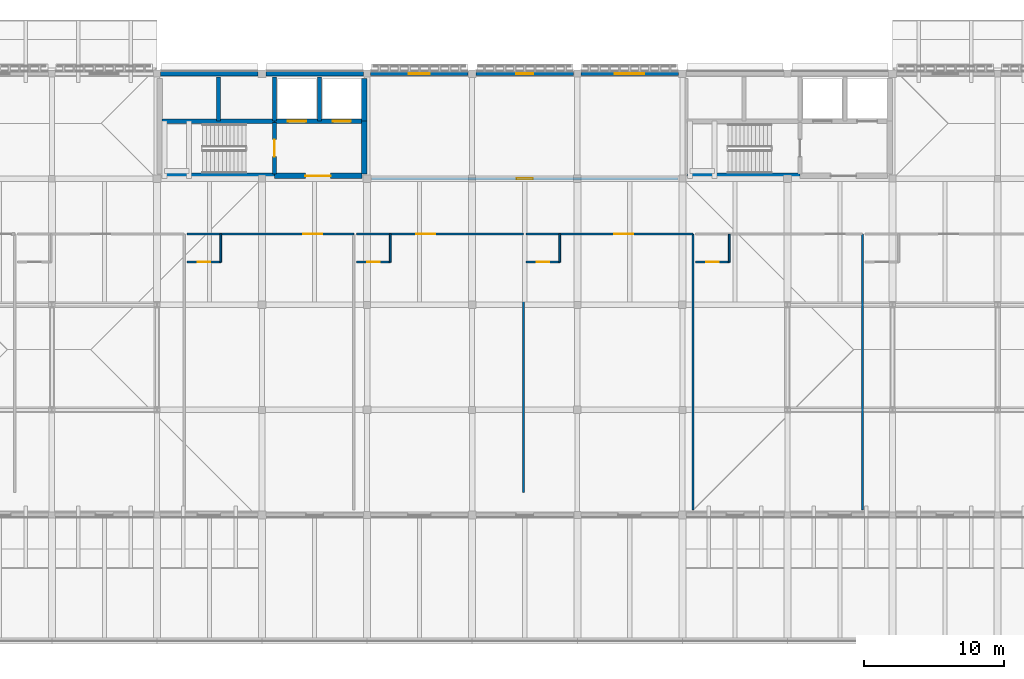
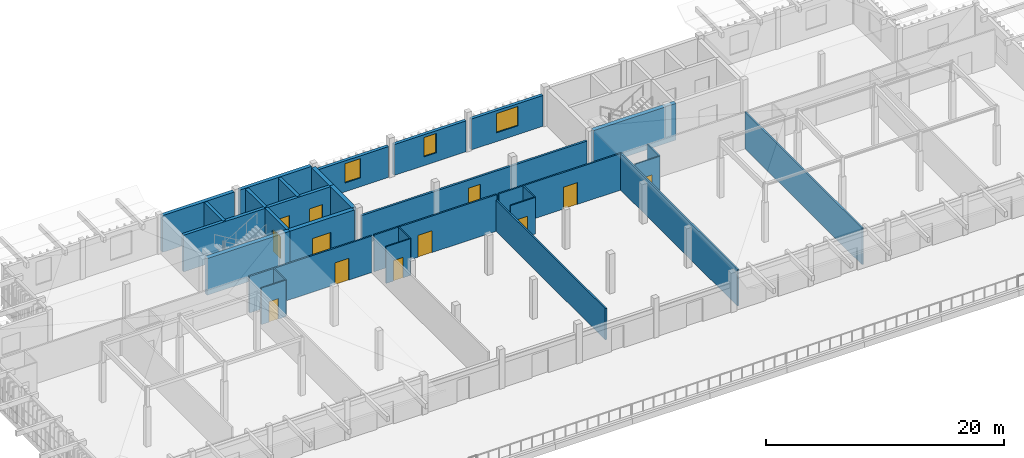
# One storey, part 24 of 48: 31 walls, 12 doors, 3 windows, 15 openings.
"""IFC4 building model written with IfcOpenShell, lengths in metres."""

from ifc_helpers import new_model, si_unit, direction, frame, frame_2d, origin, place, context, subcontext, project, spatial, rectangle, extrude, material, layer, layer_set, type_object, element, fill, save


model = new_model("IFC4")

# Units and contexts
model_context = context("Model", 3, precision=1e-05, world=origin(), true_north=direction((0.0, 1.0)))
body_context = subcontext(model_context, "Body", "Model", "MODEL_VIEW")
ifc_project = project(units=[si_unit("LENGTHUNIT", "METRE"), si_unit("AREAUNIT", "SQUARE_METRE"), si_unit("VOLUMEUNIT", "CUBIC_METRE"), si_unit("PLANEANGLEUNIT", "RADIAN"), si_unit("MASSUNIT", "GRAM", prefix="KILO")], contexts=[model_context])

# Site, building, storey
site_placement = place(None, origin())
site = spatial("IfcSite", under=ifc_project, at=site_placement, CompositionType="ELEMENT")
building_placement = place(site_placement, origin())
building = spatial("IfcBuilding", under=site, at=building_placement, Name="Dalvernix Boulevard General Hospital", CompositionType="ELEMENT")
storey_placement = place(building_placement, frame((0.0, 0.0, 17.85009765625)))
storey = spatial("IfcBuildingStorey", under=building, at=storey_placement, Name="L04", CompositionType="ELEMENT", Elevation=17.85009765625)

# Wall
ifc_material_1 = material(Name="Concrete C40/50", Category="concrete")
ifc_layer_1 = layer(ifc_material_1, 0.39990234375)
ifc_layer_set_1 = layer_set([ifc_layer_1], Name="Concrete C40/50 (WAL-CSW-01)")
wall_type_1 = type_object("IfcWallType", Name="WAL-CSW-01", PredefinedType="SHEAR", material=ifc_layer_set_1)
wall_1_placement = place(storey_placement, frame((60.35009765625, 109.699951171875, 0.0), z_axis=(0.0, 0.0, 1.0), x_axis=(1.0, 0.0, 0.0)))
element("IfcWall", 1, at=wall_1_placement, inside=storey, type_object=wall_type_1, Name="L04 C3 south stairwell wall", PredefinedType="SHEAR", context=body_context, shape_type="SweptSolid", body=[
    extrude(rectangle(XDim=8.0498046875, YDim=0.39990234375, at=frame_2d((4.02490234375, 0.0))), origin(), (0.0, 0.0, 1.0), 3.77001953125),
])

# Wall, opening, door
wall_2_placement = place(storey_placement, frame((68.39990234375, 109.699951171875, 0.0), z_axis=(0.0, 0.0, 1.0), x_axis=(1.0, 0.0, 0.0)))
wall_2 = element("IfcWall", 2, at=wall_2_placement, inside=storey, type_object=wall_type_1, Name="L04 C3 south firefighting lobby wall", PredefinedType="SHEAR", context=body_context, shape_type="SweptSolid", body=[
    extrude(rectangle(XDim=6.25, YDim=0.39990234375, at=frame_2d((3.125, 0.0))), origin(), (0.0, 0.0, 1.0), 3.77001953125),
])
opening_1_placement = place(wall_2_placement, frame((2.199951171875, 0.0, 0.0)))
opening_1 = element("IfcOpeningElement", 3, at=opening_1_placement, cuts=wall_2, Name="Opening FD-01", PredefinedType="OPENING", context=body_context, shape_type="SweptSolid", body=[
    extrude(rectangle(XDim=1.800048828125, YDim=2.25, at=frame_2d((0.89990234375, 1.125))), frame((0.0, 0.2099609375, 0.0), z_axis=(0.0, -1.0, 0.0), x_axis=(1.0, 0.0, 0.0)), (0.0, 0.0, 1.0), 0.419921875),
])
ifc_material_2 = material(Name="Hospital laminate acoustic timber and steel frame", Category="steel")
door_type_1 = type_object("IfcDoorType", Name="DR-FD-01", OperationType="DOUBLE_DOOR_SINGLE_SWING", PredefinedType="DOOR", material=ifc_material_2)
door_1_placement = place(opening_1_placement, origin())
door_1 = element("IfcDoor", 4, at=door_1_placement, inside=storey, type_object=door_type_1, Name="L04 C3 firefighting lobby door", OperationType="DOUBLE_DOOR_SINGLE_SWING", OverallHeight=2.25, OverallWidth=1.800048828125, PredefinedType="DOOR", context=body_context, shape_type="SweptSolid", body=[
    extrude(rectangle(XDim=1.800048828125, YDim=2.25, at=frame_2d((0.89990234375, 1.125))), frame((0.0, 0.02490234375, 0.0), z_axis=(0.0, -1.0, 0.0), x_axis=(1.0, 0.0, 0.0)), (0.0, 0.0, 1.0), 0.050048828125),
])
fill(opening_1, door_1)

# Walls
wall_3_placement = place(storey_placement, frame((74.800048828125, 109.85009765625, 0.0), z_axis=(0.0, 0.0, 1.0), x_axis=(0.0, 1.0, 0.0)))
element("IfcWall", 5, at=wall_3_placement, inside=storey, type_object=wall_type_1, Name="L04 C3 east lobby core wall", PredefinedType="SHEAR", context=body_context, shape_type="SweptSolid", body=[
    extrude(rectangle(XDim=3.75, YDim=0.39990234375, at=frame_2d((1.875, 0.0))), origin(), (0.0, 0.0, 1.0), 3.77001953125),
])
wall_4_placement = place(storey_placement, frame((74.800048828125, 113.60009765625, 0.0), z_axis=(0.0, 0.0, 1.0), x_axis=(0.0, 1.0, 0.0)))
element("IfcWall", 6, at=wall_4_placement, inside=storey, type_object=wall_type_1, Name="L04 C3 east shaft core wall", PredefinedType="SHEAR", context=body_context, shape_type="SweptSolid", body=[
    extrude(rectangle(XDim=3.0498046875, YDim=0.39990234375, at=frame_2d((1.52490234375, 0.0))), origin(), (0.0, 0.0, 1.0), 3.77001953125),
])
wall_5_placement = place(storey_placement, frame((97.85009765625, 109.699951171875, 0.0), z_axis=(0.0, 0.0, 1.0), x_axis=(1.0, 0.0, 0.0)))
element("IfcWall", 7, at=wall_5_placement, inside=storey, type_object=wall_type_1, Name="L04 C4 south stairwell wall", PredefinedType="SHEAR", context=body_context, shape_type="SweptSolid", body=[
    extrude(rectangle(XDim=8.0498046875, YDim=0.39990234375, at=frame_2d((4.02490234375, 0.0))), origin(), (0.0, 0.0, 1.0), 3.77001953125),
])
ifc_layer_2 = layer(ifc_material_1, 0.300048828125)
ifc_layer_set_2 = layer_set([ifc_layer_2], Name="Concrete C40/50 (WAL-CSW-02)")
wall_type_2 = type_object("IfcWallType", Name="WAL-CSW-02", PredefinedType="SHEAR", material=ifc_layer_set_2)
wall_6_placement = place(storey_placement, frame((60.35009765625, 113.60009765625, 0.0), z_axis=(0.0, 0.0, 1.0), x_axis=(1.0, 0.0, 0.0)))
element("IfcWall", 8, at=wall_6_placement, inside=storey, type_object=wall_type_2, Name="L04 C3 riser spine wall", PredefinedType="SHEAR", context=body_context, shape_type="SweptSolid", body=[
    extrude(rectangle(XDim=8.0498046875, YDim=0.300048828125, at=frame_2d((4.02490234375, 0.0))), origin(), (0.0, 0.0, 1.0), 3.77001953125),
])

# Wall, openings, doors
wall_7_placement = place(storey_placement, frame((68.39990234375, 113.60009765625, 0.0), z_axis=(0.0, 0.0, 1.0), x_axis=(1.0, 0.0, 0.0)))
wall_7 = element("IfcWall", 9, at=wall_7_placement, inside=storey, type_object=wall_type_2, Name="L04 C3 lift shaft front wall", PredefinedType="SHEAR", context=body_context, shape_type="SweptSolid", body=[
    extrude(rectangle(XDim=6.25, YDim=0.300048828125, at=frame_2d((3.125, 0.0))), origin(), (0.0, 0.0, 1.0), 3.77001953125),
])
opening_2_placement = place(wall_7_placement, frame((0.949951171875, 0.0, 0.0)))
opening_2 = element("IfcOpeningElement", 10, at=opening_2_placement, cuts=wall_7, Name="Opening LD-LF-01-L04", PredefinedType="OPENING", context=body_context, shape_type="SweptSolid", body=[
    extrude(rectangle(XDim=1.300048828125, YDim=2.199951171875, at=frame_2d((0.64990234375, 1.10009765625))), frame((0.0, 0.159912109375, 0.0), z_axis=(0.0, -1.0, 0.0), x_axis=(1.0, 0.0, 0.0)), (0.0, 0.0, 1.0), 0.320068359375),
])
opening_3_placement = place(wall_7_placement, frame((4.14990234375, 0.0, 0.0)))
opening_3 = element("IfcOpeningElement", 11, at=opening_3_placement, cuts=wall_7, Name="Opening LD-LF-02-L04", PredefinedType="OPENING", context=body_context, shape_type="SweptSolid", body=[
    extrude(rectangle(XDim=1.300048828125, YDim=2.199951171875, at=frame_2d((0.64990234375, 1.10009765625))), frame((0.0, 0.159912109375, 0.0), z_axis=(0.0, -1.0, 0.0), x_axis=(1.0, 0.0, 0.0)), (0.0, 0.0, 1.0), 0.320068359375),
])
ifc_material_3 = material(Name="Stainless-clad steel", Category="steel")
door_type_2 = type_object("IfcDoorType", Name="DR-LD-02", OperationType="DOUBLE_DOOR_SLIDING", PredefinedType="DOOR", material=ifc_material_3)
door_2_placement = place(opening_2_placement, origin())
door_2 = element("IfcDoor", 12, at=door_2_placement, inside=storey, type_object=door_type_2, Name="L04 Lift LF-01 sliding landing door", OperationType="DOUBLE_DOOR_SLIDING", OverallHeight=2.199951171875, OverallWidth=1.300048828125, PredefinedType="DOOR", context=body_context, shape_type="SweptSolid", body=[
    extrude(rectangle(XDim=1.300048828125, YDim=2.199951171875, at=frame_2d((0.64990234375, 1.10009765625))), frame((0.0, 0.02490234375, 0.0), z_axis=(0.0, -1.0, 0.0), x_axis=(1.0, 0.0, 0.0)), (0.0, 0.0, 1.0), 0.050048828125),
])
fill(opening_2, door_2)
door_3_placement = place(opening_3_placement, origin())
door_3 = element("IfcDoor", 13, at=door_3_placement, inside=storey, type_object=door_type_2, Name="L04 Lift LF-02 sliding landing door", OperationType="DOUBLE_DOOR_SLIDING", OverallHeight=2.199951171875, OverallWidth=1.300048828125, PredefinedType="DOOR", context=body_context, shape_type="SweptSolid", body=[
    extrude(rectangle(XDim=1.300048828125, YDim=2.199951171875, at=frame_2d((0.64990234375, 1.10009765625))), frame((0.0, 0.02490234375, 0.0), z_axis=(0.0, -1.0, 0.0), x_axis=(1.0, 0.0, 0.0)), (0.0, 0.0, 1.0), 0.050048828125),
])
fill(opening_3, door_3)

# Wall, opening, door
wall_8_placement = place(storey_placement, frame((68.39990234375, 113.5, 0.0), z_axis=(0.0, 0.0, 1.0), x_axis=(0.0, -1.0, 0.0)))
wall_8 = element("IfcWall", 14, at=wall_8_placement, inside=storey, type_object=wall_type_2, Name="L04 C3 stairwell fire wall", PredefinedType="SHEAR", context=body_context, shape_type="SweptSolid", body=[
    extrude(rectangle(XDim=3.64990234375, YDim=0.300048828125, at=frame_2d((1.824951171875, 0.0))), origin(), (0.0, 0.0, 1.0), 3.77001953125),
])
opening_4_placement = place(wall_8_placement, frame((1.219970703125, 0.0, 0.0)))
opening_4 = element("IfcOpeningElement", 15, at=opening_4_placement, cuts=wall_8, Name="Opening FD-02", PredefinedType="OPENING", context=body_context, shape_type="SweptSolid", body=[
    extrude(rectangle(XDim=1.199951171875, YDim=2.25, at=frame_2d((0.60009765625, 1.125))), frame((0.0, 0.159912109375, 0.0), z_axis=(0.0, -1.0, 0.0), x_axis=(1.0, 0.0, 0.0)), (0.0, 0.0, 1.0), 0.320068359375),
])
door_type_3 = type_object("IfcDoorType", Name="DR-FD-02", OperationType="NOTDEFINED", PredefinedType="DOOR", material=ifc_material_2)
door_4_placement = place(opening_4_placement, origin())
door_4 = element("IfcDoor", 16, at=door_4_placement, inside=storey, type_object=door_type_3, Name="L04 Stair ST-03 fire door", OperationType="SINGLE_SWING_RIGHT", OverallHeight=2.25, OverallWidth=1.199951171875, PredefinedType="DOOR", context=body_context, shape_type="SweptSolid", body=[
    extrude(rectangle(XDim=1.199951171875, YDim=2.25, at=frame_2d((0.60009765625, 1.125))), frame((0.0, 0.02490234375, 0.0), z_axis=(0.0, -1.0, 0.0), x_axis=(1.0, 0.0, 0.0)), (0.0, 0.0, 1.0), 0.050048828125),
])
fill(opening_4, door_4)

# Walls
for number, where, z_axis, x_axis, name in (
    (17, (64.39990234375, 113.60009765625, 0.0), (0.0, 0.0, 1.0), (0.0, 1.0, 0.0), "L04 C3 shaft divider R1"),
    (18, (68.39990234375, 113.60009765625, 0.0), (0.0, 0.0, 1.0), (0.0, 1.0, 0.0), "L04 C3 shaft divider R2"),
    (19, (71.60009765625, 113.60009765625, 0.0), (0.0, 0.0, 1.0), (0.0, 1.0, 0.0), "L04 C3 shaft divider L1"),
):
    element("IfcWall", number, at=place(storey_placement, frame(where, z_axis=z_axis, x_axis=x_axis)), inside=storey, type_object=wall_type_2, Name=name, PredefinedType="SHEAR", context=body_context, shape_type="SweptSolid", body=[
        extrude(rectangle(XDim=3.14990234375, YDim=0.300048828125, at=frame_2d((1.574951171875, 0.0))), origin(), (0.0, 0.0, 1.0), 3.77001953125),
    ])
ifc_layer_3 = layer(ifc_material_1, 0.35009765625)
ifc_layer_set_3 = layer_set([ifc_layer_3], Name="Concrete C40/50 (WAL-ESW-01)")
wall_type_3 = type_object("IfcWallType", Name="WAL-ESW-01", PredefinedType="SHEAR", material=ifc_layer_set_3)
for number, where, z_axis, x_axis, name in (
    (20, (60.260009765625, 117.0, 0.0), (0.0, 0.0, 1.0), (1.0, 0.0, 0.0), "L04 core perimeter shear wall N 8-15"),
    (21, (67.784912109375, 117.0, 0.0), (0.0, 0.0, 1.0), (1.0, 0.0, 0.0), "L04 core perimeter shear wall N 9-15"),
):
    element("IfcWall", number, at=place(storey_placement, frame(where, z_axis=z_axis, x_axis=x_axis)), inside=storey, type_object=wall_type_3, Name=name, PredefinedType="SHEAR", context=body_context, shape_type="SweptSolid", body=[
        extrude(rectangle(XDim=6.955078125, YDim=0.35009765625, at=frame_2d((3.4775390625, 0.0))), origin(), (0.0, 0.0, 1.0), 3.77001953125),
    ])

# Wall, opening, window
ifc_material_4 = material(Name="Pressed Catalan clay brick and ceramic spandrel wall C35/45", Category="masonry")
ifc_layer_4 = layer(ifc_material_4, 0.300048828125)
ifc_layer_set_4 = layer_set([ifc_layer_4], Name="Pressed Catalan clay brick and ceramic spandrel wall C35/45 (WAL-EW-02)")
wall_type_4 = type_object("IfcWallType", Name="WAL-EW-02", PredefinedType="STANDARD", material=ifc_layer_set_4)
wall_9_placement = place(storey_placement, frame((75.260009765625, 117.0, 0.0), z_axis=(0.0, 0.0, 1.0), x_axis=(1.0, 0.0, 0.0)))
wall_9 = element("IfcWall", 22, at=wall_9_placement, inside=storey, type_object=wall_type_4, Name="L04 Catalan brick external wall N 10-15", PredefinedType="STANDARD", context=body_context, shape_type="SweptSolid", body=[
    extrude(rectangle(XDim=6.955078125, YDim=0.300048828125, at=frame_2d((3.4775390625, 0.0))), origin(), (0.0, 0.0, 1.0), 3.169921875),
])
opening_5_placement = place(wall_9_placement, frame((2.7275390625, 0.0, 0.89990234375)))
opening_5 = element("IfcOpeningElement", 23, at=opening_5_placement, cuts=wall_9, Name="Opening WN-06", PredefinedType="OPENING", context=body_context, shape_type="SweptSolid", body=[
    extrude(rectangle(XDim=1.5, YDim=1.989990234375, at=frame_2d((0.75, 0.9951171875))), frame((0.0, 0.159912109375, 0.0), z_axis=(0.0, -1.0, 0.0), x_axis=(1.0, 0.0, 0.0)), (0.0, 0.0, 1.0), 0.320068359375),
])
ifc_material_5 = material(Name="Thermally broken aluminium frame with solar-control double glazing", Category="aluminium")
window_type_1 = type_object("IfcWindowType", Name="WIN-WN-06", PartitioningType="SINGLE_PANEL", PredefinedType="WINDOW", material=ifc_material_5)
window_1_placement = place(opening_5_placement, origin())
window_1 = element("IfcWindow", 24, at=window_1_placement, inside=storey, type_object=window_type_1, Name="L04 clinical window WN-06 N 10-15", OverallHeight=1.989990234375, OverallWidth=1.5, PartitioningType="SINGLE_PANEL", PredefinedType="WINDOW", context=body_context, shape_type="SweptSolid", body=[
    extrude(rectangle(XDim=1.5, YDim=1.989990234375, at=frame_2d((0.75, 0.9951171875))), frame((0.0, 0.030029296875, 0.0), z_axis=(0.0, -1.0, 0.0), x_axis=(1.0, 0.0, 0.0)), (0.0, 0.0, 1.0), 0.06005859375),
])
fill(opening_5, window_1)

wall_10_placement = place(storey_placement, frame((82.784912109375, 117.0, 0.0), z_axis=(0.0, 0.0, 1.0), x_axis=(1.0, 0.0, 0.0)))
wall_10 = element("IfcWall", 25, at=wall_10_placement, inside=storey, type_object=wall_type_4, Name="L04 Catalan brick external wall N 11-15", PredefinedType="STANDARD", context=body_context, shape_type="SweptSolid", body=[
    extrude(rectangle(XDim=6.955078125, YDim=0.300048828125, at=frame_2d((3.4775390625, 0.0))), origin(), (0.0, 0.0, 1.0), 3.169921875),
])
opening_6_placement = place(wall_10_placement, frame((2.87744140625, 0.0, 0.89990234375)))
opening_6 = element("IfcOpeningElement", 26, at=opening_6_placement, cuts=wall_10, Name="Opening WN-07", PredefinedType="OPENING", context=body_context, shape_type="SweptSolid", body=[
    extrude(rectangle(XDim=1.199951171875, YDim=1.989990234375, at=frame_2d((0.60009765625, 0.9951171875))), frame((0.0, 0.159912109375, 0.0), z_axis=(0.0, -1.0, 0.0), x_axis=(1.0, 0.0, 0.0)), (0.0, 0.0, 1.0), 0.320068359375),
])
window_type_2 = type_object("IfcWindowType", Name="WIN-WN-07", PartitioningType="SINGLE_PANEL", PredefinedType="WINDOW", material=ifc_material_5)
window_2_placement = place(opening_6_placement, origin())
window_2 = element("IfcWindow", 27, at=window_2_placement, inside=storey, type_object=window_type_2, Name="L04 clinical window WN-07 N 11-15", OverallHeight=1.989990234375, OverallWidth=1.199951171875, PartitioningType="SINGLE_PANEL", PredefinedType="WINDOW", context=body_context, shape_type="SweptSolid", body=[
    extrude(rectangle(XDim=1.199951171875, YDim=1.989990234375, at=frame_2d((0.60009765625, 0.9951171875))), frame((0.0, 0.030029296875, 0.0), z_axis=(0.0, -1.0, 0.0), x_axis=(1.0, 0.0, 0.0)), (0.0, 0.0, 1.0), 0.06005859375),
])
fill(opening_6, window_2)

wall_11_placement = place(storey_placement, frame((90.260009765625, 117.0, 0.0), z_axis=(0.0, 0.0, 1.0), x_axis=(1.0, 0.0, 0.0)))
wall_11 = element("IfcWall", 28, at=wall_11_placement, inside=storey, type_object=wall_type_4, Name="L04 Catalan brick external wall N 12-15", PredefinedType="STANDARD", context=body_context, shape_type="SweptSolid", body=[
    extrude(rectangle(XDim=6.955078125, YDim=0.300048828125, at=frame_2d((3.4775390625, 0.0))), origin(), (0.0, 0.0, 1.0), 3.169921875),
])
opening_7_placement = place(wall_11_placement, frame((2.427490234375, 0.0, 0.89990234375)))
opening_7 = element("IfcOpeningElement", 29, at=opening_7_placement, cuts=wall_11, Name="Opening WN-08", PredefinedType="OPENING", context=body_context, shape_type="SweptSolid", body=[
    extrude(rectangle(XDim=2.10009765625, YDim=1.989990234375, at=frame_2d((1.050048828125, 0.9951171875))), frame((0.0, 0.159912109375, 0.0), z_axis=(0.0, -1.0, 0.0), x_axis=(1.0, 0.0, 0.0)), (0.0, 0.0, 1.0), 0.320068359375),
])
window_type_3 = type_object("IfcWindowType", Name="WIN-WN-08", PartitioningType="SINGLE_PANEL", PredefinedType="WINDOW", material=ifc_material_5)
window_3_placement = place(opening_7_placement, origin())
window_3 = element("IfcWindow", 30, at=window_3_placement, inside=storey, type_object=window_type_3, Name="L04 clinical window WN-08 N 12-15", OverallHeight=1.989990234375, OverallWidth=2.10009765625, PartitioningType="SINGLE_PANEL", PredefinedType="WINDOW", context=body_context, shape_type="SweptSolid", body=[
    extrude(rectangle(XDim=2.10009765625, YDim=1.989990234375, at=frame_2d((1.050048828125, 0.9951171875))), frame((0.0, 0.030029296875, 0.0), z_axis=(0.0, -1.0, 0.0), x_axis=(1.0, 0.0, 0.0)), (0.0, 0.0, 1.0), 0.06005859375),
])
fill(opening_7, window_3)

# Wall, opening, door
ifc_material_6 = material(Name="Fire-compartment corridor masonry wall", Category="masonry")
ifc_layer_5 = layer(ifc_material_6, 0.199951171875)
ifc_layer_set_5 = layer_set([ifc_layer_5], Name="Fire-compartment corridor masonry wall (WAL-IW-02)")
wall_type_5 = type_object("IfcWallType", Name="WAL-IW-02", PredefinedType="STANDARD", material=ifc_layer_set_5)
wall_12_placement = place(storey_placement, frame((75.300048828125, 109.5, 0.0), z_axis=(0.0, 0.0, 1.0), x_axis=(1.0, 0.0, 0.0)))
wall_12 = element("IfcWall", 31, at=wall_12_placement, inside=storey, type_object=wall_type_5, Name="L04 Surgical Ward Nurse Station and Clean Utility corridor wall", PredefinedType="STANDARD", context=body_context, shape_type="SweptSolid", body=[
    extrude(rectangle(XDim=21.89990234375, YDim=0.199951171875, at=frame_2d((10.949951171875, 0.0))), origin(), (0.0, 0.0, 1.0), 3.014892578125),
])
opening_8_placement = place(wall_12_placement, frame((10.375, 0.0, 0.0)))
opening_8 = element("IfcOpeningElement", 32, at=opening_8_placement, cuts=wall_12, Name="Opening ID-08", PredefinedType="OPENING", context=body_context, shape_type="SweptSolid", body=[
    extrude(rectangle(XDim=1.14990234375, YDim=2.199951171875, at=frame_2d((0.574951171875, 1.10009765625))), frame((0.0, 0.10986328125, 0.0), z_axis=(0.0, -1.0, 0.0), x_axis=(1.0, 0.0, 0.0)), (0.0, 0.0, 1.0), 0.219970703125),
])
door_type_4 = type_object("IfcDoorType", Name="DR-ID-08", OperationType="NOTDEFINED", PredefinedType="DOOR", material=ifc_material_2)
door_5_placement = place(opening_8_placement, origin())
door_5 = element("IfcDoor", 33, at=door_5_placement, inside=storey, type_object=door_type_4, Name="L04 Surgical Ward Nurse Station and Clean Utility door", OperationType="SINGLE_SWING_LEFT", OverallHeight=2.199951171875, OverallWidth=1.14990234375, PredefinedType="DOOR", context=body_context, shape_type="SweptSolid", body=[
    extrude(rectangle(XDim=1.14990234375, YDim=2.199951171875, at=frame_2d((0.574951171875, 1.10009765625))), frame((0.0, 0.02490234375, 0.0), z_axis=(0.0, -1.0, 0.0), x_axis=(1.0, 0.0, 0.0)), (0.0, 0.0, 1.0), 0.050048828125),
])
fill(opening_8, door_5)

ifc_material_7 = material(Name="Acoustic double-stud gypsum inpatient partition")
ifc_layer_6 = layer(ifc_material_7, 0.14990234375)
ifc_layer_set_6 = layer_set([ifc_layer_6], Name="Acoustic double-stud gypsum inpatient partition (WAL-IW-04)")
wall_type_6 = type_object("IfcWallType", Name="WAL-IW-04", PredefinedType="PARTITIONING", material=ifc_layer_set_6)
wall_13_placement = place(storey_placement, frame((74.050048828125, 105.550048828125, 0.0), z_axis=(0.0, 0.0, 1.0), x_axis=(-1.0, 0.0, 0.0)))
wall_13 = element("IfcWall", 34, at=wall_13_placement, inside=storey, type_object=wall_type_6, Name="L04 Post-Operative Surgical Patient Room L04-03 corridor wall", PredefinedType="PARTITIONING", context=body_context, shape_type="SweptSolid", body=[
    extrude(rectangle(XDim=11.900146484375, YDim=0.14990234375, at=frame_2d((5.9501953125, 0.0))), origin(), (0.0, 0.0, 1.0), 3.7548828125),
])
opening_9_placement = place(wall_13_placement, frame((2.260009765625, 0.0, 0.0)))
opening_9 = element("IfcOpeningElement", 35, at=opening_9_placement, cuts=wall_13, Name="Opening ID-01", PredefinedType="OPENING", context=body_context, shape_type="SweptSolid", body=[
    extrude(rectangle(XDim=1.35009765625, YDim=2.25, at=frame_2d((0.675048828125, 1.125))), frame((0.0, 0.0849609375, 0.0), z_axis=(0.0, -1.0, 0.0), x_axis=(1.0, 0.0, 0.0)), (0.0, 0.0, 1.0), 0.169921875),
])
door_type_5 = type_object("IfcDoorType", Name="DR-ID-01", OperationType="NOTDEFINED", PredefinedType="DOOR", material=ifc_material_2)
door_6_placement = place(opening_9_placement, origin())
door_6 = element("IfcDoor", 36, at=door_6_placement, inside=storey, type_object=door_type_5, Name="L04 Post-Operative Surgical Patient Room L04-03 door", OperationType="SINGLE_SWING_LEFT", OverallHeight=2.25, OverallWidth=1.35009765625, PredefinedType="DOOR", context=body_context, shape_type="SweptSolid", body=[
    extrude(rectangle(XDim=1.35009765625, YDim=2.25, at=frame_2d((0.675048828125, 1.125))), frame((0.0, 0.02490234375, 0.0), z_axis=(0.0, -1.0, 0.0), x_axis=(1.0, 0.0, 0.0)), (0.0, 0.0, 1.0), 0.050048828125),
])
fill(opening_9, door_6)

wall_14_placement = place(storey_placement, frame((86.14990234375, 105.550048828125, 0.0), z_axis=(0.0, 0.0, 1.0), x_axis=(-1.0, 0.0, 0.0)))
wall_14 = element("IfcWall", 37, at=wall_14_placement, inside=storey, type_object=wall_type_6, Name="L04 Post-Operative Surgical Patient Room L04-04 corridor wall", PredefinedType="PARTITIONING", context=body_context, shape_type="SweptSolid", body=[
    extrude(rectangle(XDim=11.89990234375, YDim=0.14990234375, at=frame_2d((5.949951171875, 0.0))), origin(), (0.0, 0.0, 1.0), 3.7548828125),
])
opening_10_placement = place(wall_14_placement, frame((6.280029296875, 0.0, 0.0)))
opening_10 = element("IfcOpeningElement", 38, at=opening_10_placement, cuts=wall_14, Name="Opening ID-01", PredefinedType="OPENING", context=body_context, shape_type="SweptSolid", body=[
    extrude(rectangle(XDim=1.35009765625, YDim=2.25, at=frame_2d((0.675048828125, 1.125))), frame((0.0, 0.0849609375, 0.0), z_axis=(0.0, -1.0, 0.0), x_axis=(1.0, 0.0, 0.0)), (0.0, 0.0, 1.0), 0.169921875),
])
door_7_placement = place(opening_10_placement, origin())
door_7 = element("IfcDoor", 39, at=door_7_placement, inside=storey, type_object=door_type_5, Name="L04 Post-Operative Surgical Patient Room L04-04 door", OperationType="SINGLE_SWING_LEFT", OverallHeight=2.25, OverallWidth=1.35009765625, PredefinedType="DOOR", context=body_context, shape_type="SweptSolid", body=[
    extrude(rectangle(XDim=1.35009765625, YDim=2.25, at=frame_2d((0.675048828125, 1.125))), frame((0.0, 0.02490234375, 0.0), z_axis=(0.0, -1.0, 0.0), x_axis=(1.0, 0.0, 0.0)), (0.0, 0.0, 1.0), 0.050048828125),
])
fill(opening_10, door_7)

wall_15_placement = place(storey_placement, frame((98.25, 105.550048828125, 0.0), z_axis=(0.0, 0.0, 1.0), x_axis=(-1.0, 0.0, 0.0)))
wall_15 = element("IfcWall", 40, at=wall_15_placement, inside=storey, type_object=wall_type_6, Name="L04 Post-Operative Surgical Patient Room L04-05 corridor wall", PredefinedType="PARTITIONING", context=body_context, shape_type="SweptSolid", body=[
    extrude(rectangle(XDim=11.89990234375, YDim=0.14990234375, at=frame_2d((5.949951171875, 0.0))), origin(), (0.0, 0.0, 1.0), 3.7548828125),
])
opening_11_placement = place(wall_15_placement, frame((4.27001953125, 0.0, 0.0)))
opening_11 = element("IfcOpeningElement", 41, at=opening_11_placement, cuts=wall_15, Name="Opening ID-01", PredefinedType="OPENING", context=body_context, shape_type="SweptSolid", body=[
    extrude(rectangle(XDim=1.35009765625, YDim=2.25, at=frame_2d((0.675048828125, 1.125))), frame((0.0, 0.0849609375, 0.0), z_axis=(0.0, -1.0, 0.0), x_axis=(1.0, 0.0, 0.0)), (0.0, 0.0, 1.0), 0.169921875),
])
door_8_placement = place(opening_11_placement, origin())
door_8 = element("IfcDoor", 42, at=door_8_placement, inside=storey, type_object=door_type_5, Name="L04 Post-Operative Surgical Patient Room L04-05 door", OperationType="SINGLE_SWING_LEFT", OverallHeight=2.25, OverallWidth=1.35009765625, PredefinedType="DOOR", context=body_context, shape_type="SweptSolid", body=[
    extrude(rectangle(XDim=1.35009765625, YDim=2.25, at=frame_2d((0.675048828125, 1.125))), frame((0.0, 0.02490234375, 0.0), z_axis=(0.0, -1.0, 0.0), x_axis=(1.0, 0.0, 0.0)), (0.0, 0.0, 1.0), 0.050048828125),
])
fill(opening_11, door_8)

# Walls
wall_16_placement = place(storey_placement, frame((86.14990234375, 87.10009765625, 0.0), z_axis=(0.0, 0.0, 1.0), x_axis=(0.0, 1.0, 0.0)))
element("IfcWall", 43, at=wall_16_placement, inside=storey, type_object=wall_type_6, Name="L04 Post-Operative Surgical Patient Room L04-04 partition", PredefinedType="PARTITIONING", context=body_context, shape_type="SweptSolid", body=[
    extrude(rectangle(XDim=18.449951171875, YDim=0.14990234375, at=frame_2d((9.22509765625, 0.0))), origin(), (0.0, 0.0, 1.0), 3.21484375),
])
for number, where, z_axis, x_axis, name in (
    (44, (98.25, 85.85009765625, 0.0), (0.0, 0.0, 1.0), (0.0, 1.0, 0.0), "L04 Post-Operative Surgical Patient Room L04-05 partition"),
    (45, (110.35009765625, 85.85009765625, 0.0), (0.0, 0.0, 1.0), (0.0, 1.0, 0.0), "L04 Post-Operative Surgical Patient Room L04-06 partition"),
):
    element("IfcWall", number, at=place(storey_placement, frame(where, z_axis=z_axis, x_axis=x_axis)), inside=storey, type_object=wall_type_6, Name=name, PredefinedType="PARTITIONING", context=body_context, shape_type="SweptSolid", body=[
        extrude(rectangle(XDim=19.699951171875, YDim=0.14990234375, at=frame_2d((9.85009765625, 0.0))), origin(), (0.0, 0.0, 1.0), 3.7548828125),
    ])

# Wall, opening, door
ifc_material_8 = material(Name="Moisture-resistant en-suite bathroom partition")
ifc_layer_7 = layer(ifc_material_8, 0.1201171875)
ifc_layer_set_7 = layer_set([ifc_layer_7], Name="Moisture-resistant en-suite bathroom partition (WAL-IW-05)")
wall_type_7 = type_object("IfcWallType", Name="WAL-IW-05", PredefinedType="PARTITIONING", material=ifc_layer_set_7)
wall_17_placement = place(storey_placement, frame((62.14990234375, 103.550048828125, 0.0), z_axis=(0.0, 0.0, 1.0), x_axis=(1.0, 0.0, 0.0)))
wall_17 = element("IfcWall", 46, at=wall_17_placement, inside=storey, type_object=wall_type_7, Name="L04 en-suite bathroom door wall", PredefinedType="PARTITIONING", context=body_context, shape_type="SweptSolid", body=[
    extrude(rectangle(XDim=2.400146484375, YDim=0.1201171875, at=frame_2d((1.2001953125, 0.0))), origin(), (0.0, 0.0, 1.0), 3.7548828125),
])
opening_12_placement = place(wall_17_placement, frame((0.75, 0.0, 0.0)))
opening_12 = element("IfcOpeningElement", 47, at=opening_12_placement, cuts=wall_17, Name="Opening ID-05", PredefinedType="OPENING", context=body_context, shape_type="SweptSolid", body=[
    extrude(rectangle(XDim=0.89990234375, YDim=2.10009765625, at=frame_2d((0.449951171875, 1.050048828125))), frame((0.0, 0.070068359375, 0.0), z_axis=(0.0, -1.0, 0.0), x_axis=(1.0, 0.0, 0.0)), (0.0, 0.0, 1.0), 0.14013671875),
])
door_type_6 = type_object("IfcDoorType", Name="DR-ID-05", OperationType="NOTDEFINED", PredefinedType="DOOR", material=ifc_material_2)
door_9_placement = place(opening_12_placement, origin())
door_9 = element("IfcDoor", 48, at=door_9_placement, inside=storey, type_object=door_type_6, Name="L04 L04-SURG-W03 en-suite bathroom door", OperationType="SINGLE_SWING_RIGHT", OverallHeight=2.10009765625, OverallWidth=0.89990234375, PredefinedType="DOOR", context=body_context, shape_type="SweptSolid", body=[
    extrude(rectangle(XDim=0.89990234375, YDim=2.10009765625, at=frame_2d((0.449951171875, 1.050048828125))), frame((0.0, 0.02490234375, 0.0), z_axis=(0.0, -1.0, 0.0), x_axis=(1.0, 0.0, 0.0)), (0.0, 0.0, 1.0), 0.050048828125),
])
fill(opening_12, door_9)

# Wall
wall_18_placement = place(storey_placement, frame((64.550048828125, 103.550048828125, 0.0), z_axis=(0.0, 0.0, 1.0), x_axis=(0.0, 1.0, 0.0)))
element("IfcWall", 49, at=wall_18_placement, inside=storey, type_object=wall_type_7, Name="L04 en-suite bathroom side wall", PredefinedType="PARTITIONING", context=body_context, shape_type="SweptSolid", body=[
    extrude(rectangle(XDim=2.0, YDim=0.1201171875, at=frame_2d((1.0, 0.0))), origin(), (0.0, 0.0, 1.0), 3.7548828125),
])

# Wall, opening, door
wall_19_placement = place(storey_placement, frame((74.25, 103.550048828125, 0.0), z_axis=(0.0, 0.0, 1.0), x_axis=(1.0, 0.0, 0.0)))
wall_19 = element("IfcWall", 50, at=wall_19_placement, inside=storey, type_object=wall_type_7, Name="L04 en-suite bathroom door wall", PredefinedType="PARTITIONING", context=body_context, shape_type="SweptSolid", body=[
    extrude(rectangle(XDim=2.39990234375, YDim=0.1201171875, at=frame_2d((1.199951171875, 0.0))), origin(), (0.0, 0.0, 1.0), 3.7548828125),
])
opening_13_placement = place(wall_19_placement, frame((0.75, 0.0, 0.0)))
opening_13 = element("IfcOpeningElement", 51, at=opening_13_placement, cuts=wall_19, Name="Opening ID-05", PredefinedType="OPENING", context=body_context, shape_type="SweptSolid", body=[
    extrude(rectangle(XDim=0.89990234375, YDim=2.10009765625, at=frame_2d((0.449951171875, 1.050048828125))), frame((0.0, 0.070068359375, 0.0), z_axis=(0.0, -1.0, 0.0), x_axis=(1.0, 0.0, 0.0)), (0.0, 0.0, 1.0), 0.14013671875),
])
door_10_placement = place(opening_13_placement, origin())
door_10 = element("IfcDoor", 52, at=door_10_placement, inside=storey, type_object=door_type_6, Name="L04 L04-SURG-W04 en-suite bathroom door", OperationType="SINGLE_SWING_RIGHT", OverallHeight=2.10009765625, OverallWidth=0.89990234375, PredefinedType="DOOR", context=body_context, shape_type="SweptSolid", body=[
    extrude(rectangle(XDim=0.89990234375, YDim=2.10009765625, at=frame_2d((0.449951171875, 1.050048828125))), frame((0.0, 0.02490234375, 0.0), z_axis=(0.0, -1.0, 0.0), x_axis=(1.0, 0.0, 0.0)), (0.0, 0.0, 1.0), 0.050048828125),
])
fill(opening_13, door_10)

# Wall
wall_20_placement = place(storey_placement, frame((76.64990234375, 103.550048828125, 0.0), z_axis=(0.0, 0.0, 1.0), x_axis=(0.0, 1.0, 0.0)))
element("IfcWall", 53, at=wall_20_placement, inside=storey, type_object=wall_type_7, Name="L04 en-suite bathroom side wall", PredefinedType="PARTITIONING", context=body_context, shape_type="SweptSolid", body=[
    extrude(rectangle(XDim=2.0, YDim=0.1201171875, at=frame_2d((1.0, 0.0))), origin(), (0.0, 0.0, 1.0), 3.7548828125),
])

# Wall, opening, door
wall_21_placement = place(storey_placement, frame((86.35009765625, 103.550048828125, 0.0), z_axis=(0.0, 0.0, 1.0), x_axis=(1.0, 0.0, 0.0)))
wall_21 = element("IfcWall", 54, at=wall_21_placement, inside=storey, type_object=wall_type_7, Name="L04 en-suite bathroom door wall", PredefinedType="PARTITIONING", context=body_context, shape_type="SweptSolid", body=[
    extrude(rectangle(XDim=2.39990234375, YDim=0.1201171875, at=frame_2d((1.199951171875, 0.0))), origin(), (0.0, 0.0, 1.0), 3.7548828125),
])
opening_14_placement = place(wall_21_placement, frame((0.75, 0.0, 0.0)))
opening_14 = element("IfcOpeningElement", 55, at=opening_14_placement, cuts=wall_21, Name="Opening ID-05", PredefinedType="OPENING", context=body_context, shape_type="SweptSolid", body=[
    extrude(rectangle(XDim=0.89990234375, YDim=2.10009765625, at=frame_2d((0.449951171875, 1.050048828125))), frame((0.0, 0.070068359375, 0.0), z_axis=(0.0, -1.0, 0.0), x_axis=(1.0, 0.0, 0.0)), (0.0, 0.0, 1.0), 0.14013671875),
])
door_11_placement = place(opening_14_placement, origin())
door_11 = element("IfcDoor", 56, at=door_11_placement, inside=storey, type_object=door_type_6, Name="L04 L04-SURG-W05 en-suite bathroom door", OperationType="SINGLE_SWING_RIGHT", OverallHeight=2.10009765625, OverallWidth=0.89990234375, PredefinedType="DOOR", context=body_context, shape_type="SweptSolid", body=[
    extrude(rectangle(XDim=0.89990234375, YDim=2.10009765625, at=frame_2d((0.449951171875, 1.050048828125))), frame((0.0, 0.02490234375, 0.0), z_axis=(0.0, -1.0, 0.0), x_axis=(1.0, 0.0, 0.0)), (0.0, 0.0, 1.0), 0.050048828125),
])
fill(opening_14, door_11)

# Wall
wall_22_placement = place(storey_placement, frame((88.75, 103.550048828125, 0.0), z_axis=(0.0, 0.0, 1.0), x_axis=(0.0, 1.0, 0.0)))
element("IfcWall", 57, at=wall_22_placement, inside=storey, type_object=wall_type_7, Name="L04 en-suite bathroom side wall", PredefinedType="PARTITIONING", context=body_context, shape_type="SweptSolid", body=[
    extrude(rectangle(XDim=2.0, YDim=0.1201171875, at=frame_2d((1.0, 0.0))), origin(), (0.0, 0.0, 1.0), 3.7548828125),
])

# Wall, opening, door
wall_23_placement = place(storey_placement, frame((98.449951171875, 103.550048828125, 0.0), z_axis=(0.0, 0.0, 1.0), x_axis=(1.0, 0.0, 0.0)))
wall_23 = element("IfcWall", 58, at=wall_23_placement, inside=storey, type_object=wall_type_7, Name="L04 en-suite bathroom door wall", PredefinedType="PARTITIONING", context=body_context, shape_type="SweptSolid", body=[
    extrude(rectangle(XDim=2.400146484375, YDim=0.1201171875, at=frame_2d((1.2001953125, 0.0))), origin(), (0.0, 0.0, 1.0), 3.7548828125),
])
opening_15_placement = place(wall_23_placement, frame((0.75, 0.0, 0.0)))
opening_15 = element("IfcOpeningElement", 59, at=opening_15_placement, cuts=wall_23, Name="Opening ID-05", PredefinedType="OPENING", context=body_context, shape_type="SweptSolid", body=[
    extrude(rectangle(XDim=0.89990234375, YDim=2.10009765625, at=frame_2d((0.449951171875, 1.050048828125))), frame((0.0, 0.070068359375, 0.0), z_axis=(0.0, -1.0, 0.0), x_axis=(1.0, 0.0, 0.0)), (0.0, 0.0, 1.0), 0.14013671875),
])
door_12_placement = place(opening_15_placement, origin())
door_12 = element("IfcDoor", 60, at=door_12_placement, inside=storey, type_object=door_type_6, Name="L04 L04-SURG-W06 en-suite bathroom door", OperationType="SINGLE_SWING_RIGHT", OverallHeight=2.10009765625, OverallWidth=0.89990234375, PredefinedType="DOOR", context=body_context, shape_type="SweptSolid", body=[
    extrude(rectangle(XDim=0.89990234375, YDim=2.10009765625, at=frame_2d((0.449951171875, 1.050048828125))), frame((0.0, 0.02490234375, 0.0), z_axis=(0.0, -1.0, 0.0), x_axis=(1.0, 0.0, 0.0)), (0.0, 0.0, 1.0), 0.050048828125),
])
fill(opening_15, door_12)

# Wall
wall_24_placement = place(storey_placement, frame((100.85009765625, 103.550048828125, 0.0), z_axis=(0.0, 0.0, 1.0), x_axis=(0.0, 1.0, 0.0)))
element("IfcWall", 61, at=wall_24_placement, inside=storey, type_object=wall_type_7, Name="L04 en-suite bathroom side wall", PredefinedType="PARTITIONING", context=body_context, shape_type="SweptSolid", body=[
    extrude(rectangle(XDim=2.0, YDim=0.1201171875, at=frame_2d((1.0, 0.0))), origin(), (0.0, 0.0, 1.0), 3.7548828125),
])

save(model, "model.ifc")
